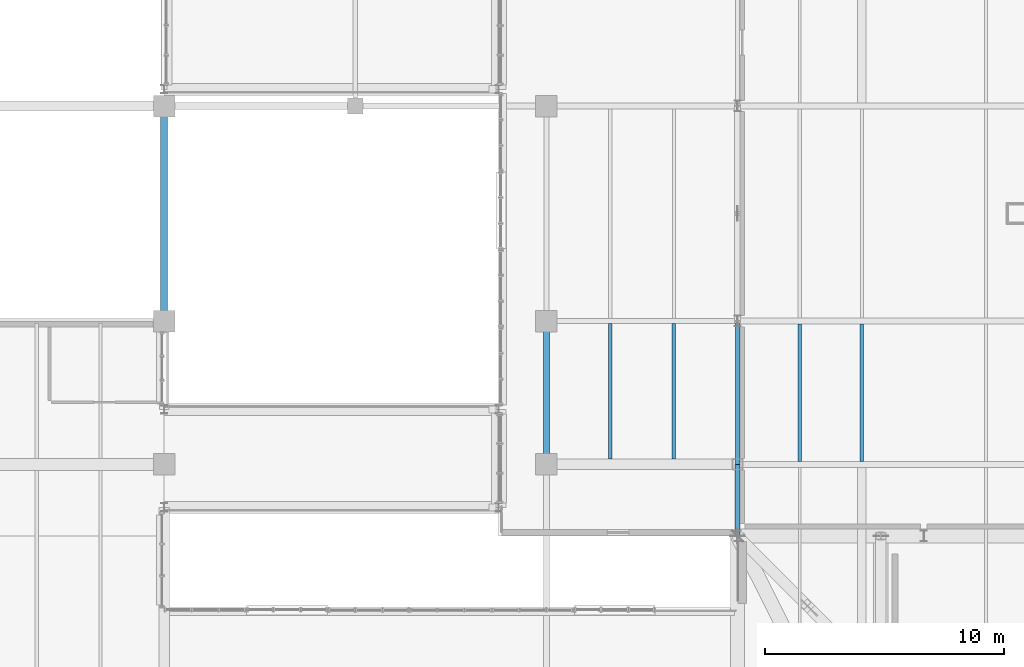
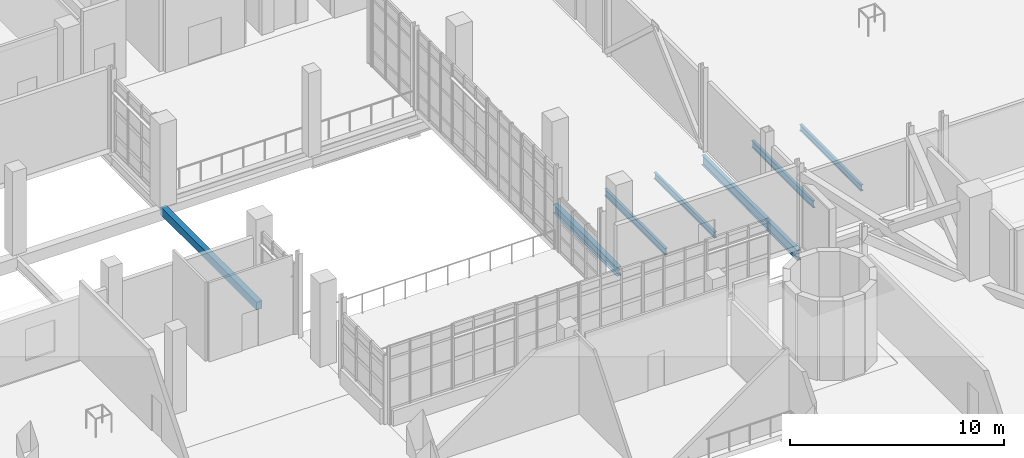
# One storey, part 35 of 127: 8 beams.
"""IFC4 building model written with IfcOpenShell, lengths in metres."""

from ifc_helpers import new_model, si_unit, derived_unit, direction, frame, origin, origin_2d, place, context, subcontext, project, spatial, rectangle, i_section, extrude, material, material_profile, profile_set, type_object, element, save


model = new_model("IFC4")

# Units and contexts
model_context = context("Model", 3, precision=1e-05, world=origin(), true_north=direction((0.0, 1.0)))
body_context = subcontext(model_context, "Body", "Model", "MODEL_VIEW")
ifc_project = project(units=[si_unit("LENGTHUNIT", "METRE"), si_unit("AREAUNIT", "SQUARE_METRE"), si_unit("VOLUMEUNIT", "CUBIC_METRE"), si_unit("PLANEANGLEUNIT", "RADIAN"), si_unit("MASSUNIT", "GRAM", prefix="KILO"), derived_unit("THERMALTRANSMITTANCEUNIT", [(si_unit("POWERUNIT", "WATT"), 1), (si_unit("LENGTHUNIT", "METRE"), -2), (si_unit("THERMODYNAMICTEMPERATUREUNIT", "KELVIN"), -1)])], contexts=[model_context])

# Site, building, storey
site_placement = place(None, origin())
site = spatial("IfcSite", under=ifc_project, at=site_placement, CompositionType="ELEMENT")
building_placement = place(site_placement, origin())
building = spatial("IfcBuilding", under=site, at=building_placement, Name="Nallur Shell Playhouse", CompositionType="ELEMENT")
storey_placement = place(building_placement, frame((0.0, 0.0, 5.39990234375)))
storey = spatial("IfcBuildingStorey", under=building, at=storey_placement, Name="L02", CompositionType="ELEMENT", Elevation=5.39990234375)

# Beams
ifc_material_1 = material(Name="Steel E250", Category="steel")
ifc_material_profile_1 = material_profile(ifc_material_1, i_section(OverallWidth=0.139892578125, OverallDepth=0.35009765625, WebThickness=0.008056640625, FlangeThickness=0.01416015625, FilletRadius=0.013916015625, at=origin_2d()), Name="ISMB 350")
ifc_profile_set_1 = profile_set([ifc_material_profile_1], Name="Steel E250")
beam_type_1 = type_object("IfcBeamType", Name="BM-JST-ISMB350", PredefinedType="JOIST", material=ifc_profile_set_1)
beam_1_placement = place(storey_placement, frame((61.333251953125, 50.222900390625, -0.454833984375), z_axis=(0.0, 1.0, 0.0), x_axis=(-1.0, 0.0, 0.0)))
element("IfcBeam", 1, at=beam_1_placement, inside=storey, type_object=beam_type_1, Name="L02 secondary joist 7-F-530", PredefinedType="JOIST", context=body_context, shape_type="SweptSolid", body=[
    extrude(i_section(OverallWidth=0.139892578125, OverallDepth=0.35009765625, WebThickness=0.008056640625, FlangeThickness=0.01416015625, FilletRadius=0.013916015625, at=origin_2d()), origin(), (0.0, 0.0, 1.0), 5.67919921875),
])
beam_2_placement = place(storey_placement, frame((69.199951171875, 50.123046875, -0.454833984375), z_axis=(0.0, 1.0, 0.0), x_axis=(-1.0, 0.0, 0.0)))
element("IfcBeam", 2, at=beam_2_placement, inside=storey, type_object=beam_type_1, Name="L02 secondary joist 8-F-536", PredefinedType="JOIST", context=body_context, shape_type="SweptSolid", body=[
    extrude(i_section(OverallWidth=0.139892578125, OverallDepth=0.35009765625, WebThickness=0.008056640625, FlangeThickness=0.01416015625, FilletRadius=0.013916015625, at=origin_2d()), origin(), (0.0, 0.0, 1.0), 5.75390625),
])
ifc_material_profile_2 = material_profile(ifc_material_1, i_section(OverallWidth=0.139892578125, OverallDepth=0.39990234375, WebThickness=0.0087890625, FlangeThickness=0.01611328125, FilletRadius=0.013916015625, at=origin_2d()), Name="ISMB 400")
ifc_profile_set_2 = profile_set([ifc_material_profile_2], Name="Steel E250")
beam_type_2 = type_object("IfcBeamType", Name="BM-JST-ISMB400", PredefinedType="JOIST", material=ifc_profile_set_2)
beam_3_placement = place(storey_placement, frame((58.666748046875, 50.222900390625, -0.47998046875), z_axis=(0.0, 1.0, 0.0), x_axis=(-1.0, 0.0, 0.0)))
element("IfcBeam", 3, at=beam_3_placement, inside=storey, type_object=beam_type_2, Name="L02 secondary joist 7-F-529", PredefinedType="JOIST", context=body_context, shape_type="SweptSolid", body=[
    extrude(i_section(OverallWidth=0.139892578125, OverallDepth=0.39990234375, WebThickness=0.0087890625, FlangeThickness=0.01611328125, FilletRadius=0.013916015625, at=origin_2d()), origin(), (0.0, 0.0, 1.0), 5.67919921875),
])
beam_4_placement = place(storey_placement, frame((66.60009765625, 50.123046875, -0.47998046875), z_axis=(0.0, 1.0, 0.0), x_axis=(-1.0, 0.0, 0.0)))
element("IfcBeam", 4, at=beam_4_placement, inside=storey, type_object=beam_type_2, Name="L02 secondary joist 8-F-535", PredefinedType="JOIST", context=body_context, shape_type="SweptSolid", body=[
    extrude(i_section(OverallWidth=0.139892578125, OverallDepth=0.39990234375, WebThickness=0.0087890625, FlangeThickness=0.01611328125, FilletRadius=0.013916015625, at=origin_2d()), origin(), (0.0, 0.0, 1.0), 5.75390625),
])
ifc_material_2 = material(Name="Concrete M35", Category="concrete")
ifc_material_profile_3 = material_profile(ifc_material_2, rectangle(XDim=0.300048828125, YDim=0.449951171875, at=origin_2d()), Name="RC 300x450")
ifc_profile_set_3 = profile_set([ifc_material_profile_3], Name="Concrete M35")
beam_type_3 = type_object("IfcBeamType", Name="BM-SPN-300x450", PredefinedType="SPANDREL", material=ifc_profile_set_3)
beam_5_placement = place(storey_placement, frame((40.0, 56.0, -0.5048828125), z_axis=(0.0, 1.0, 0.0), x_axis=(-1.0, 0.0, 0.0)))
element("IfcBeam", 5, at=beam_5_placement, inside=storey, type_object=beam_type_3, Name="L02 girder Y-5-416", PredefinedType="SPANDREL", context=body_context, shape_type="SweptSolid", body=[
    extrude(rectangle(XDim=0.300048828125, YDim=0.449951171875, at=origin_2d()), origin(), (0.0, 0.0, 1.0), 9.0),
])
ifc_material_3 = material(Name="Steel E350", Category="steel")
ifc_material_profile_4 = material_profile(ifc_material_3, i_section(OverallWidth=0.18994140625, OverallDepth=0.550048828125, WebThickness=0.01123046875, FlangeThickness=0.019287109375, FilletRadius=0.01806640625, at=origin_2d()), Name="ISMB 550")
ifc_profile_set_4 = profile_set([ifc_material_profile_4], Name="Steel E350")
beam_type_4 = type_object("IfcBeamType", Name="BM-ST-ISMB550", PredefinedType="BEAM", material=ifc_profile_set_4)
beam_6_placement = place(storey_placement, frame((64.0, 50.0, -0.554931640625), z_axis=(0.0, 1.0, 0.0), x_axis=(-1.0, 0.0, 0.0)))
element("IfcBeam", 6, at=beam_6_placement, inside=storey, type_object=beam_type_4, Name="L02 girder Y-8-441", PredefinedType="BEAM", context=body_context, shape_type="SweptSolid", body=[
    extrude(i_section(OverallWidth=0.18994140625, OverallDepth=0.550048828125, WebThickness=0.01123046875, FlangeThickness=0.019287109375, FilletRadius=0.01806640625, at=origin_2d()), origin(), (0.0, 0.0, 1.0), 6.0),
])
ifc_material_profile_5 = material_profile(ifc_material_3, i_section(OverallWidth=0.2099609375, OverallDepth=0.60009765625, WebThickness=0.011962890625, FlangeThickness=0.020751953125, FilletRadius=0.02001953125, at=origin_2d()), Name="ISMB 600")
ifc_profile_set_5 = profile_set([ifc_material_profile_5], Name="Steel E350")
beam_type_5 = type_object("IfcBeamType", Name="BM-ST-ISMB600", PredefinedType="BEAM", material=ifc_profile_set_5)
beam_7_placement = place(storey_placement, frame((64.0, 47.0, -0.579833984375), z_axis=(0.0, 1.0, 0.0), x_axis=(-1.0, 0.0, 0.0)))
element("IfcBeam", 7, at=beam_7_placement, inside=storey, type_object=beam_type_5, Name="L02 girder Y-8-440", PredefinedType="BEAM", context=body_context, shape_type="SweptSolid", body=[
    extrude(i_section(OverallWidth=0.2099609375, OverallDepth=0.60009765625, WebThickness=0.011962890625, FlangeThickness=0.020751953125, FilletRadius=0.02001953125, at=origin_2d()), origin(), (0.0, 0.0, 1.0), 3.0),
])
ifc_material_profile_6 = material_profile(ifc_material_3, i_section(OverallWidth=0.25, OverallDepth=0.5, WebThickness=0.010009765625, FlangeThickness=0.0146484375, FilletRadius=0.014892578125, at=origin_2d()), Name="ISWB 500")
ifc_profile_set_6 = profile_set([ifc_material_profile_6], Name="Steel E350")
beam_type_6 = type_object("IfcBeamType", Name="BM-ST-ISWB500", PredefinedType="BEAM", material=ifc_profile_set_6)
beam_8_placement = place(storey_placement, frame((56.0, 50.0, -0.52978515625), z_axis=(0.0, 1.0, 0.0), x_axis=(-1.0, 0.0, 0.0)))
element("IfcBeam", 8, at=beam_8_placement, inside=storey, type_object=beam_type_6, Name="L02 girder Y-7-435", PredefinedType="BEAM", context=body_context, shape_type="SweptSolid", body=[
    extrude(i_section(OverallWidth=0.25, OverallDepth=0.5, WebThickness=0.010009765625, FlangeThickness=0.0146484375, FilletRadius=0.014892578125, at=origin_2d()), origin(), (0.0, 0.0, 1.0), 6.0),
])

save(model, "model.ifc")
